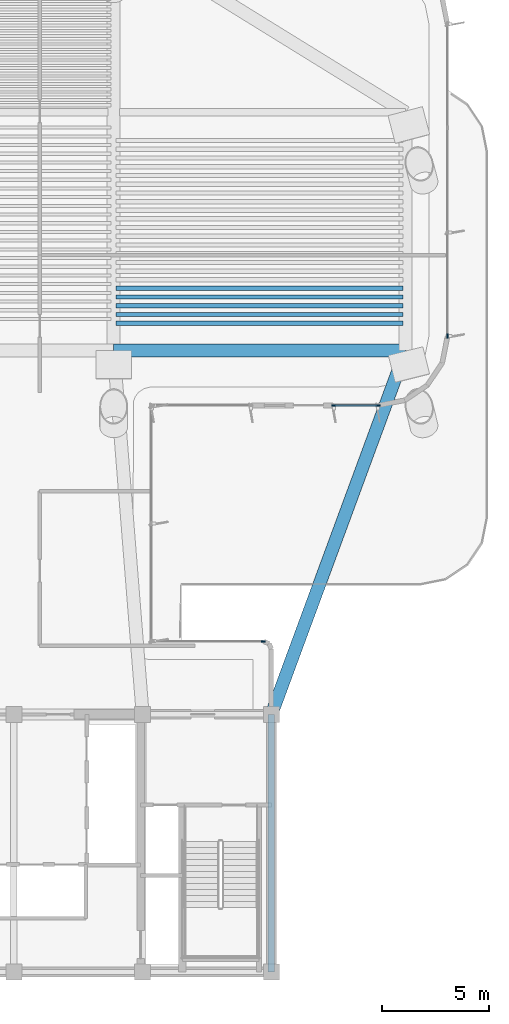
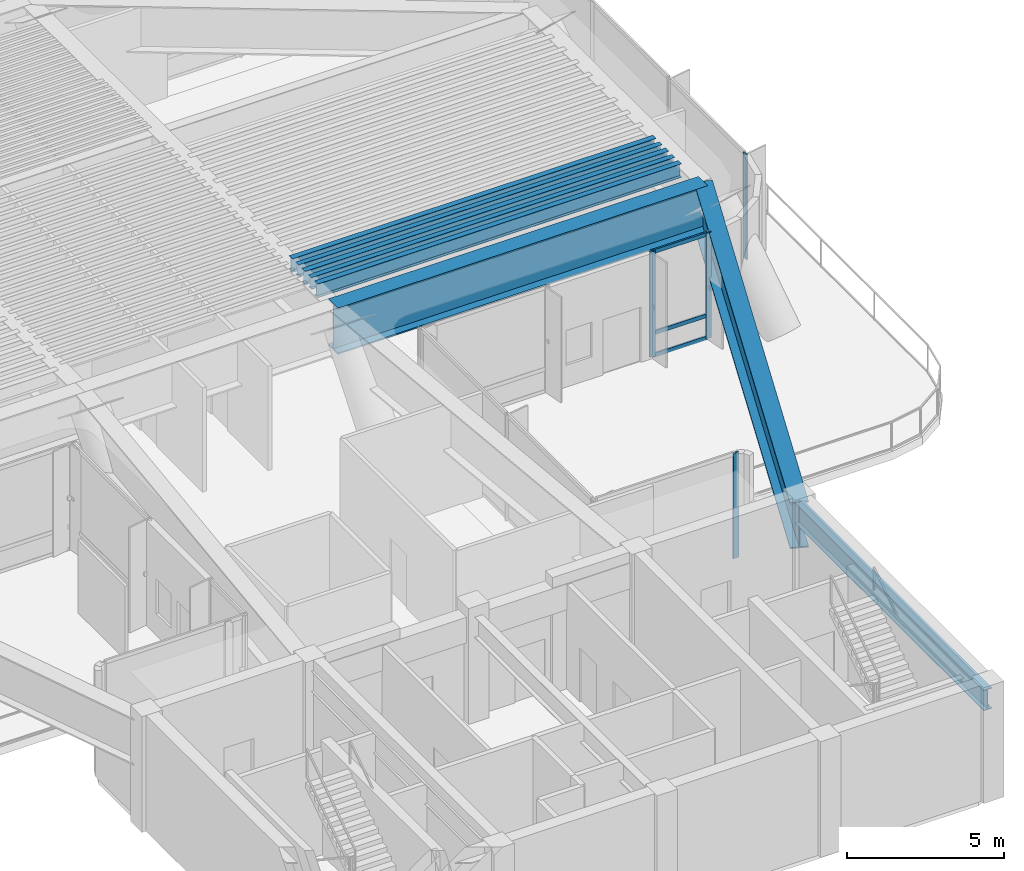
# One storey, part 4 of 13: 8 beams, 7 members, 3 elements without a shape of their own.
"""IFC4 building model written with IfcOpenShell, lengths in metres."""

from ifc_helpers import new_model, si_unit, direction, frame, origin, origin_2d, place, context, subcontext, project, spatial, rectangle, i_section, extrude, source, transform, mapped, material, layer, layer_set, material_profile, profile_set, type_object, element, aggregate, save


model = new_model("IFC4")

# Units and contexts
model_context = context("Model", 3, precision=1e-05, world=origin(), true_north=direction((0.0, 1.0)))
body_context = subcontext(model_context, "Body", "Model", "MODEL_VIEW")
ifc_project = project(units=[si_unit("LENGTHUNIT", "METRE"), si_unit("AREAUNIT", "SQUARE_METRE"), si_unit("VOLUMEUNIT", "CUBIC_METRE"), si_unit("PLANEANGLEUNIT", "RADIAN"), si_unit("MASSUNIT", "GRAM", prefix="KILO")], contexts=[model_context])

# Site, building, storey
site_placement = place(None, origin())
site = spatial("IfcSite", under=ifc_project, at=site_placement, CompositionType="ELEMENT")
building_placement = place(site_placement, origin())
building = spatial("IfcBuilding", under=site, at=building_placement, Name="Brelvock Crest Care Tower", CompositionType="ELEMENT")
storey_placement = place(building_placement, frame((0.0, 0.0, 151.919921875)))
storey = spatial("IfcBuildingStorey", under=building, at=storey_placement, Name="L38", CompositionType="ELEMENT", Elevation=151.919921875)

# Beams
ifc_material_1 = material(Name="Steel Grade 350", Category="steel")
ifc_material_profile_1 = material_profile(ifc_material_1, i_section(OverallWidth=0.300048828125, OverallDepth=0.800048828125, WebThickness=0.013916015625, FlangeThickness=0.02197265625, at=origin_2d()), Name="800WB192")
ifc_profile_set_1 = profile_set([ifc_material_profile_1], Name="Steel Grade 350")
beam_type_1 = type_object("IfcBeamType", Name="BM-G5", PredefinedType="BEAM", material=ifc_profile_set_1)
shared_shape_1 = source(origin(), body_context, "Body", "SweptSolid", [
    extrude(i_section(OverallWidth=0.300048828125, OverallDepth=0.800048828125, WebThickness=0.013916015625, FlangeThickness=0.02197265625, at=origin_2d()), origin(), (0.0, 0.0, 1.0), 12.0),
])
beam_1_placement = place(storey_placement, frame((48.0, 6.0, 3.692138671875), z_axis=(0.0, 1.0, 0.0), x_axis=(-1.0, 0.0, 0.0)))
element("IfcBeam", 1, at=beam_1_placement, inside=storey, type_object=beam_type_1, Name="BM-COREX-L38-5", PredefinedType="BEAM", context=body_context, shape_type="MappedRepresentation", body=[
    mapped(shared_shape_1, transform((0.0, 0.0, 0.0), x_axis=(1.0, 0.0, 0.0), y_axis=(0.0, 1.0, 0.0), z_axis=(0.0, 0.0, 1.0), scale=1.0)),
])
ifc_material_profile_2 = material_profile(ifc_material_1, i_section(OverallWidth=0.60009765625, OverallDepth=1.800048828125, WebThickness=0.028076171875, FlangeThickness=0.052001953125, at=origin_2d()), Name="1800TG740")
ifc_profile_set_2 = profile_set([ifc_material_profile_2], Name="Steel Grade 350")
beam_type_2 = type_object("IfcBeamType", Name="BM-TG1", PredefinedType="USERDEFINED", material=ifc_profile_set_2)
shared_shape_2 = source(origin(), body_context, "Body", "SweptSolid", [
    extrude(i_section(OverallWidth=0.60009765625, OverallDepth=1.800048828125, WebThickness=0.028076171875, FlangeThickness=0.052001953125, at=origin_2d()), origin(), (0.0, 0.0, 1.0), 13.60009765625),
])
beam_2_placement = place(storey_placement, frame((40.64990234375, 34.949951171875, 3.192138671875), z_axis=(1.0, 0.0, 0.0), x_axis=(0.0, 1.0, 0.0)))
element("IfcBeam", 2, at=beam_2_placement, inside=storey, type_object=beam_type_2, Name="BM-TWR-L38-04", ObjectType="GIRDER", PredefinedType="USERDEFINED", context=body_context, shape_type="MappedRepresentation", body=[
    mapped(shared_shape_2, transform((0.0, 0.0, 0.0), x_axis=(1.0, 0.0, 0.0), y_axis=(0.0, 1.0, 0.0), z_axis=(0.0, 0.0, 1.0), scale=1.0)),
])
shared_shape_3 = source(origin(), body_context, "Body", "SweptSolid", [
    extrude(i_section(OverallWidth=0.60009765625, OverallDepth=1.800048828125, WebThickness=0.028076171875, FlangeThickness=0.052001953125, at=origin_2d()), origin(), (0.0, 0.0, 1.0), 18.0654296875),
])
beam_3_placement = place(storey_placement, frame((48.0, 18.0, 3.192138671875), z_axis=(0.345962741309, 0.938248251597, 0.0), x_axis=(-0.938248251597, 0.345962741309, 0.0)))
element("IfcBeam", 3, at=beam_3_placement, inside=storey, type_object=beam_type_2, Name="BM-THRO-E-L38", ObjectType="GIRDER", PredefinedType="USERDEFINED", context=body_context, shape_type="MappedRepresentation", body=[
    mapped(shared_shape_3, transform((0.0, 0.0, 0.0), x_axis=(1.0, 0.0, 0.0), y_axis=(0.0, 1.0, 0.0), z_axis=(0.0, 0.0, 1.0), scale=1.0)),
])
ifc_material_profile_3 = material_profile(ifc_material_1, i_section(OverallWidth=0.208984375, OverallDepth=0.532958984375, WebThickness=0.01025390625, FlangeThickness=0.015625, FilletRadius=0.013916015625, at=origin_2d()), Name="530UB92.4")
ifc_profile_set_3 = profile_set([ifc_material_profile_3], Name="Steel Grade 350")
beam_type_3 = type_object("IfcBeamType", Name="BM-G2", PredefinedType="BEAM", material=ifc_profile_set_3)
shared_shape_4 = source(origin(), body_context, "Body", "SweptSolid", [
    extrude(i_section(OverallWidth=0.208984375, OverallDepth=0.532958984375, WebThickness=0.01025390625, FlangeThickness=0.015625, FilletRadius=0.013916015625, at=origin_2d()), origin(), (0.0, 0.0, 1.0), 13.3701171875),
])
for number, where, z_axis, x_axis, name in (
    (4, (40.764892578125, 36.2265625, 3.82568359375), (1.0, 0.0, 0.0), (0.0, 1.0, 0.0), "BM-JE-L38-3"),
    (5, (40.764892578125, 37.036865234375, 3.82568359375), (1.0, 0.0, 0.0), (0.0, 1.0, 0.0), "BM-JE-L38-5"),
    (6, (40.764892578125, 37.84716796875, 3.82568359375), (1.0, 0.0, 0.0), (0.0, 1.0, 0.0), "BM-JE-L38-7"),
):
    element("IfcBeam", number, at=place(storey_placement, frame(where, z_axis=z_axis, x_axis=x_axis)), inside=storey, type_object=beam_type_3, Name=name, PredefinedType="BEAM", context=body_context, shape_type="MappedRepresentation", body=[
        mapped(shared_shape_4, transform((0.0, 0.0, 0.0), x_axis=(1.0, 0.0, 0.0), y_axis=(0.0, 1.0, 0.0), z_axis=(0.0, 0.0, 1.0), scale=1.0)),
    ])
ifc_material_profile_4 = material_profile(ifc_material_1, i_section(OverallWidth=0.19091796875, OverallDepth=0.4599609375, WebThickness=0.010009765625, FlangeThickness=0.01611328125, FilletRadius=0.011474609375, at=origin_2d()), Name="460UB82.1")
ifc_profile_set_4 = profile_set([ifc_material_profile_4], Name="Steel Grade 350")
beam_type_4 = type_object("IfcBeamType", Name="BM-G3", PredefinedType="BEAM", material=ifc_profile_set_4)
shared_shape_5 = source(origin(), body_context, "Body", "SweptSolid", [
    extrude(i_section(OverallWidth=0.19091796875, OverallDepth=0.4599609375, WebThickness=0.010009765625, FlangeThickness=0.01611328125, FilletRadius=0.011474609375, at=origin_2d()), origin(), (0.0, 0.0, 1.0), 13.3701171875),
])
for number, where, z_axis, x_axis, name in (
    (7, (40.764892578125, 36.631591796875, 3.862060546875), (1.0, 0.0, 0.0), (0.0, 1.0, 0.0), "BM-JE-L38-4"),
    (8, (40.764892578125, 37.44189453125, 3.862060546875), (1.0, 0.0, 0.0), (0.0, 1.0, 0.0), "BM-JE-L38-6"),
):
    element("IfcBeam", number, at=place(storey_placement, frame(where, z_axis=z_axis, x_axis=x_axis)), inside=storey, type_object=beam_type_4, Name=name, PredefinedType="BEAM", context=body_context, shape_type="MappedRepresentation", body=[
        mapped(shared_shape_5, transform((0.0, 0.0, 0.0), x_axis=(1.0, 0.0, 0.0), y_axis=(0.0, 1.0, 0.0), z_axis=(0.0, 0.0, 1.0), scale=1.0)),
    ])

# Curtain wall, member
ifc_material_2 = material(Name="Dark Glass Double Glazed Low-E", Category="glass")
ifc_layer = layer(ifc_material_2, 0.2548828125, Name="CWS-6")
ifc_layer_set = layer_set([ifc_layer], Name="Dark Glass Double Glazed Low-E")
curtain_wall_type = type_object("IfcCurtainWallType", Name="CWS-6", PredefinedType="NOTDEFINED", material=ifc_layer_set)
curtain_wall_1_placement = place(storey_placement, origin())
curtain_wall_1 = element("IfcCurtainWall", 9, at=curtain_wall_1_placement, inside=storey, type_object=curtain_wall_type, Name="L38 Curtain Wall E39", PredefinedType="NOTDEFINED")
ifc_material_3 = material(Name="Aluminium 6063-T6", Category="aluminium")
ifc_material_profile_5 = material_profile(ifc_material_3, rectangle(XDim=0.06494140625, YDim=0.199951171875, at=origin_2d()), Name="ALU65x200")
ifc_profile_set_5 = profile_set([ifc_material_profile_5], Name="Aluminium 6063-T6")
member_type_1 = type_object("IfcMemberType", Name="CWM-1", PredefinedType="MULLION", material=ifc_profile_set_5)
shared_shape_6 = source(origin(), body_context, "Body", "SweptSolid", [
    extrude(rectangle(XDim=0.06494140625, YDim=0.199951171875, at=origin_2d()), origin(), (0.0, 0.0, 1.0), 4.092041015625),
])
member_1_placement = place(storey_placement, frame((56.199951171875, 35.632568359375, 0.0), z_axis=(0.0, 0.0, 1.0), x_axis=(1.0, 0.0, 0.0)))
member_1 = element("IfcMember", 10, at=member_1_placement, type_object=member_type_1, Name="CW-6 mullion 4", PredefinedType="MULLION", context=body_context, shape_type="MappedRepresentation", body=[
    mapped(shared_shape_6, transform((0.0, 0.0, 0.0), x_axis=(1.0, 0.0, 0.0), y_axis=(0.0, 1.0, 0.0), z_axis=(0.0, 0.0, 1.0), scale=1.0)),
])
aggregate(curtain_wall_1, [member_1])

# Curtain wall, members
curtain_wall_2_placement = place(storey_placement, origin())
curtain_wall_2 = element("IfcCurtainWall", 11, at=curtain_wall_2_placement, inside=storey, type_object=curtain_wall_type, Name="L38 Curtain Wall E44A", PredefinedType="NOTDEFINED")
member_2_placement = place(storey_placement, frame((52.967529296875, 32.39990234375, 0.0), z_axis=(0.0, 0.0, 1.0), x_axis=(0.0, -1.0, 0.0)))
member_2 = element("IfcMember", 12, at=member_2_placement, type_object=member_type_1, Name="CW-6 mullion 1", PredefinedType="MULLION", context=body_context, shape_type="MappedRepresentation", body=[
    mapped(shared_shape_6, transform((0.0, 0.0, 0.0), x_axis=(1.0, 0.0, 0.0), y_axis=(0.0, 1.0, 0.0), z_axis=(0.0, 0.0, 1.0), scale=1.0)),
])
member_3_placement = place(storey_placement, frame((50.904541015625, 32.39990234375, 0.0), z_axis=(0.0, 0.0, 1.0), x_axis=(0.0, -1.0, 0.0)))
member_3 = element("IfcMember", 13, at=member_3_placement, type_object=member_type_1, Name="CW-6 mullion 2", PredefinedType="MULLION", context=body_context, shape_type="MappedRepresentation", body=[
    mapped(shared_shape_6, transform((0.0, 0.0, 0.0), x_axis=(1.0, 0.0, 0.0), y_axis=(0.0, 1.0, 0.0), z_axis=(0.0, 0.0, 1.0), scale=1.0)),
])

# Curtain wall, member
curtain_wall_3_placement = place(storey_placement, origin())
curtain_wall_3 = element("IfcCurtainWall", 14, at=curtain_wall_3_placement, inside=storey, type_object=curtain_wall_type, Name="L38 Curtain Wall E46", PredefinedType="NOTDEFINED")
member_4_placement = place(storey_placement, frame((47.617431640625, 21.39990234375, 0.0), z_axis=(0.0, 0.0, 1.0), x_axis=(0.0, 1.0, 0.0)))
member_4 = element("IfcMember", 15, at=member_4_placement, type_object=member_type_1, Name="CW-6 mullion 2", PredefinedType="MULLION", context=body_context, shape_type="MappedRepresentation", body=[
    mapped(shared_shape_6, transform((0.0, 0.0, 0.0), x_axis=(1.0, 0.0, 0.0), y_axis=(0.0, 1.0, 0.0), z_axis=(0.0, 0.0, 1.0), scale=1.0)),
])
aggregate(curtain_wall_3, [member_4])

# Member
ifc_material_profile_6 = material_profile(ifc_material_3, rectangle(XDim=0.06494140625, YDim=0.14990234375, at=origin_2d()), Name="ALU65x150")
ifc_profile_set_6 = profile_set([ifc_material_profile_6], Name="Aluminium 6063-T6")
member_type_2 = type_object("IfcMemberType", Name="CWT-1", PredefinedType="USERDEFINED", material=ifc_profile_set_6)
shared_shape_7 = source(origin(), body_context, "Body", "SweptSolid", [
    extrude(rectangle(XDim=0.06494140625, YDim=0.14990234375, at=origin_2d()), origin(), (0.0, 0.0, 1.0), 1.998046875),
])
member_5_placement = place(storey_placement, frame((52.93505859375, 32.39990234375, 0.032470703125), z_axis=(-1.0, 0.0, 0.0), x_axis=(0.0, -1.0, 0.0)))
member_5 = element("IfcMember", 16, at=member_5_placement, type_object=member_type_2, Name="CW-6 transom 1.1", ObjectType="TRANSOM", PredefinedType="USERDEFINED", context=body_context, shape_type="MappedRepresentation", body=[
    mapped(shared_shape_7, transform((0.0, 0.0, 0.0), x_axis=(1.0, 0.0, 0.0), y_axis=(0.0, 1.0, 0.0), z_axis=(0.0, 0.0, 1.0), scale=1.0)),
])

member_6_placement = place(storey_placement, frame((52.93505859375, 32.39990234375, 0.900146484375), z_axis=(-1.0, 0.0, 0.0), x_axis=(0.0, -1.0, 0.0)))
member_6 = element("IfcMember", 17, at=member_6_placement, type_object=member_type_2, Name="CW-6 transom 1.2", ObjectType="TRANSOM", PredefinedType="USERDEFINED", context=body_context, shape_type="MappedRepresentation", body=[
    mapped(shared_shape_7, transform((0.0, 0.0, 0.0), x_axis=(1.0, 0.0, 0.0), y_axis=(0.0, 1.0, 0.0), z_axis=(0.0, 0.0, 1.0), scale=1.0)),
])

member_7_placement = place(storey_placement, frame((52.93505859375, 32.39990234375, 4.0595703125), z_axis=(-1.0, 0.0, 0.0), x_axis=(0.0, -1.0, 0.0)))
member_7 = element("IfcMember", 18, at=member_7_placement, type_object=member_type_2, Name="CW-6 transom 1.3", ObjectType="TRANSOM", PredefinedType="USERDEFINED", context=body_context, shape_type="MappedRepresentation", body=[
    mapped(shared_shape_7, transform((0.0, 0.0, 0.0), x_axis=(1.0, 0.0, 0.0), y_axis=(0.0, 1.0, 0.0), z_axis=(0.0, 0.0, 1.0), scale=1.0)),
])

aggregate(curtain_wall_2, [member_2, member_3, member_5, member_6, member_7])

save(model, "model.ifc")
